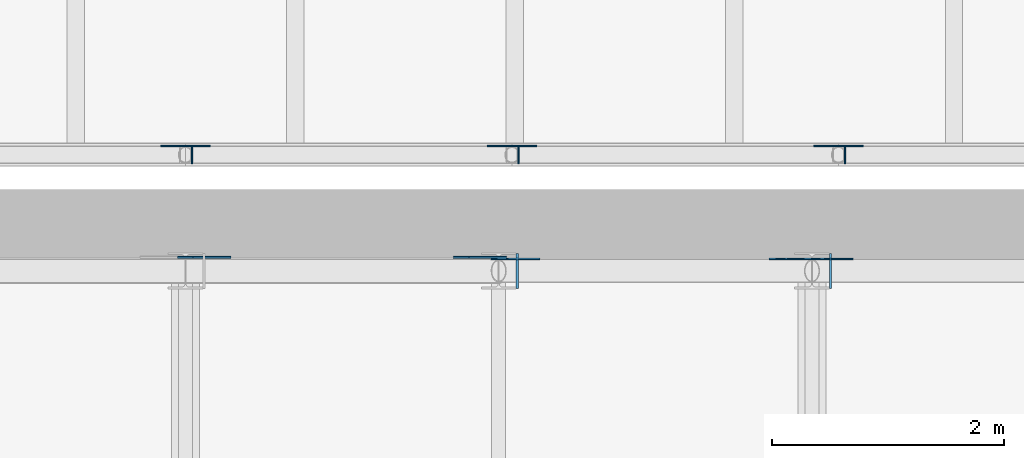
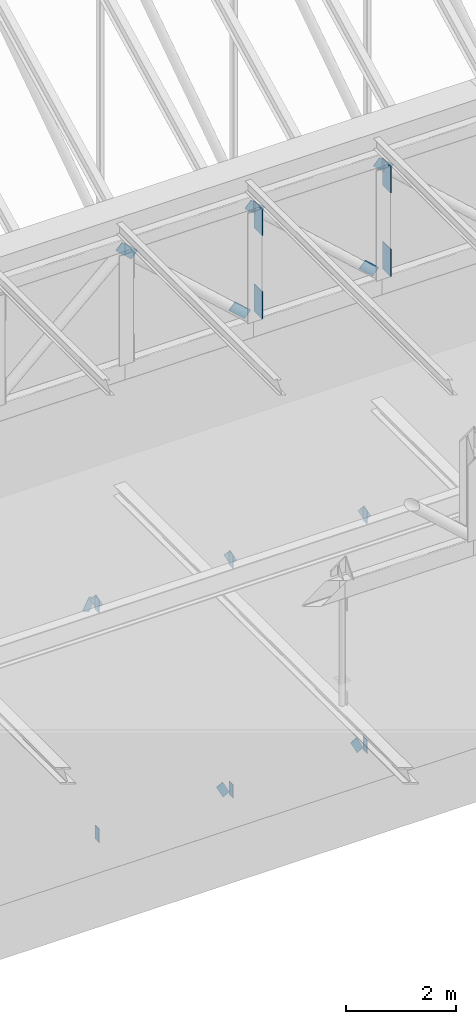
# One storey, part 44 of 68: 21 discrete accessories.
"""IFC4 building model written with IfcOpenShell, lengths in metres."""

from ifc_helpers import new_model, si_unit, direction, frame, origin, origin_2d, place, context, subcontext, project, spatial, rectangle, extrude, material, material_profile, profile_set, type_object, element, save


model = new_model("IFC4")

# Units and contexts
model_context = context("Model", 3, precision=1e-05, world=origin(), true_north=direction((0.0, 1.0)))
body_context = subcontext(model_context, "Body", "Model", "MODEL_VIEW")
ifc_project = project(units=[si_unit("LENGTHUNIT", "METRE"), si_unit("AREAUNIT", "SQUARE_METRE"), si_unit("VOLUMEUNIT", "CUBIC_METRE"), si_unit("PLANEANGLEUNIT", "RADIAN"), si_unit("MASSUNIT", "GRAM", prefix="KILO")], contexts=[model_context])

# Site, building, storey
site_placement = place(None, origin())
site = spatial("IfcSite", under=ifc_project, at=site_placement, CompositionType="ELEMENT")
building_placement = place(site_placement, origin())
building = spatial("IfcBuilding", under=site, at=building_placement, Name="Larchfold Concert Hall", CompositionType="ELEMENT")
storey_placement = place(building_placement, frame((0.0, 0.0, 28.800048828125)))
storey = spatial("IfcBuildingStorey", under=building, at=storey_placement, Name="L06", CompositionType="ELEMENT", Elevation=28.800048828125)

# Discrete accessories
ifc_material_1 = material(Name="Steel S355 galvanised bracket", Category="steel")
ifc_material_profile_1 = material_profile(ifc_material_1, rectangle(XDim=0.011962890625, YDim=0.14990234375, at=origin_2d()))
ifc_profile_set_1 = profile_set([ifc_material_profile_1], Name="Steel S355 galvanised bracket")
discrete_accessory_type_1 = type_object("IfcDiscreteAccessoryType", Name="Gusset plate 12x150", PredefinedType="BRACKET", material=ifc_profile_set_1)
for number, where, z_axis, x_axis, name in (
    (1, (42.656005859375, 60.0, 5.39990234375), (0.0, 0.0, -1.0), (1.0, 0.0, 0.0), "Gusset plate GP0135"),
    (2, (42.656005859375, 60.0, 0.300048828125), (0.0, 0.0, -1.0), (1.0, 0.0, 0.0), "Gusset plate GP0136"),
    (3, (45.470458984375, 60.0, 5.39990234375), (0.0, 0.0, -1.0), (1.0, 0.0, 0.0), "Gusset plate GP0137"),
    (4, (45.470458984375, 60.0, 0.300048828125), (0.0, 0.0, -1.0), (1.0, 0.0, 0.0), "Gusset plate GP0138"),
    (5, (48.284912109375, 60.0, 5.39990234375), (0.0, 0.0, -1.0), (1.0, 0.0, 0.0), "Gusset plate GP0139"),
    (6, (48.284912109375, 60.0, 0.300048828125), (0.0, 0.0, -1.0), (1.0, 0.0, 0.0), "Gusset plate GP0140"),
):
    element("IfcDiscreteAccessory", number, at=place(storey_placement, frame(where, z_axis=z_axis, x_axis=x_axis)), inside=storey, type_object=discrete_accessory_type_1, Name=name, PredefinedType="BRACKET", context=body_context, shape_type="SweptSolid", body=[
        extrude(rectangle(XDim=0.011962890625, YDim=0.14990234375, at=origin_2d()), origin(), (0.0, 0.0, 1.0), 0.300048828125),
    ])
for number, where, z_axis, x_axis, name in (
    (7, (42.4521484375, 60.075927734375, 5.1162109375), (0.462454703444, 0.0, 0.886642908539), (0.0, 1.0, 0.0), "Gusset plate GP0160"),
    (8, (42.609375, 60.075927734375, 5.382080078125), (0.462454703444, 0.0, -0.886642908539), (0.0, 1.0, 0.0), "Gusset plate GP0161"),
    (9, (45.2666015625, 60.075927734375, 0.28369140625), (0.462454703444, 0.0, -0.886642908539), (0.0, 1.0, 0.0), "Gusset plate GP0162"),
    (10, (45.423828125, 60.075927734375, 5.382080078125), (0.462454703444, 0.0, -0.886642908539), (0.0, 1.0, 0.0), "Gusset plate GP0163"),
    (11, (48.0810546875, 60.075927734375, 0.28369140625), (0.462454703444, 0.0, -0.886642908539), (0.0, 1.0, 0.0), "Gusset plate GP0164"),
    (12, (48.23828125, 60.075927734375, 5.382080078125), (0.462454703444, 0.0, -0.886642908539), (0.0, 1.0, 0.0), "Gusset plate GP0165"),
):
    element("IfcDiscreteAccessory", number, at=place(storey_placement, frame(where, z_axis=z_axis, x_axis=x_axis)), inside=storey, type_object=discrete_accessory_type_1, Name=name, PredefinedType="BRACKET", context=body_context, shape_type="SweptSolid", body=[
        extrude(rectangle(XDim=0.011962890625, YDim=0.14990234375, at=origin_2d()), origin(), (0.0, 0.0, 1.0), 0.2998046875),
    ])
ifc_material_2 = material(Name="Steel S355 galvanised bracket", Category="steel")
ifc_material_profile_2 = material_profile(ifc_material_2, rectangle(XDim=0.011962890625, YDim=0.199951171875, at=origin_2d()))
ifc_profile_set_2 = profile_set([ifc_material_profile_2], Name="Steel S355 galvanised bracket")
discrete_accessory_type_2 = type_object("IfcDiscreteAccessoryType", Name="Gusset plate 12x200", PredefinedType="BRACKET", material=ifc_profile_set_2)
for number, where, z_axis, x_axis, name in (
    (13, (45.300048828125, 59.102783203125, 13.75), (0.740624199034, 0.0, -0.671919486103), (0.0, 1.0, 0.0), "Gusset plate GP0759"),
    (14, (47.6982421875, 59.102783203125, 11.57373046875), (0.740624199034, 0.0, -0.671919486103), (0.0, 1.0, 0.0), "Gusset plate GP0760"),
    (15, (48.0, 59.102783203125, 13.75), (0.740624199034, 0.0, -0.671919486103), (0.0, 1.0, 0.0), "Gusset plate GP0761"),
):
    element("IfcDiscreteAccessory", number, at=place(storey_placement, frame(where, z_axis=z_axis, x_axis=x_axis)), inside=storey, type_object=discrete_accessory_type_2, Name=name, PredefinedType="BRACKET", context=body_context, shape_type="SweptSolid", body=[
        extrude(rectangle(XDim=0.011962890625, YDim=0.199951171875, at=origin_2d()), origin(), (0.0, 0.0, 1.0), 0.38720703125),
    ])
ifc_material_3 = material(Name="Steel S355 galvanised bracket", Category="steel")
ifc_material_profile_3 = material_profile(ifc_material_3, rectangle(XDim=0.01611328125, YDim=0.199951171875, at=origin_2d()))
ifc_profile_set_3 = profile_set([ifc_material_profile_3], Name="Steel S355 galvanised bracket")
discrete_accessory_type_3 = type_object("IfcDiscreteAccessoryType", Name="Gusset plate 16x200", PredefinedType="BRACKET", material=ifc_profile_set_3)
for number, where, z_axis, x_axis, name in (
    (16, (42.60009765625, 59.117431640625, 13.75), (0.740544899397, 0.0, -0.672006883877), (0.0, 1.0, 0.0), "Gusset plate GP0757"),
    (17, (44.9755859375, 59.117431640625, 11.594482421875), (0.740544899397, 0.0, -0.672006883877), (0.0, 1.0, 0.0), "Gusset plate GP0758"),
):
    element("IfcDiscreteAccessory", number, at=place(storey_placement, frame(where, z_axis=z_axis, x_axis=x_axis)), inside=storey, type_object=discrete_accessory_type_3, Name=name, PredefinedType="BRACKET", context=body_context, shape_type="SweptSolid", body=[
        extrude(rectangle(XDim=0.01611328125, YDim=0.199951171875, at=origin_2d()), origin(), (0.0, 0.0, 1.0), 0.438232421875),
    ])
ifc_material_4 = material(Name="Steel S355 galvanised bracket", Category="steel")
ifc_material_profile_4 = material_profile(ifc_material_4, rectangle(XDim=0.02001953125, YDim=0.300048828125, at=origin_2d()))
ifc_profile_set_4 = profile_set([ifc_material_profile_4], Name="Steel S355 galvanised bracket")
discrete_accessory_type_4 = type_object("IfcDiscreteAccessoryType", Name="Gusset plate 20x300", PredefinedType="BRACKET", material=ifc_profile_set_4)
for number, where, z_axis, x_axis, name in (
    (18, (45.4599609375, 59.0, 11.300048828125), (0.0, 0.0, 1.0), (1.0, 0.0, 0.0), "Gusset plate GP0745"),
    (19, (45.4599609375, 59.0, 13.14990234375), (0.0, 0.0, 1.0), (1.0, 0.0, 0.0), "Gusset plate GP0746"),
    (20, (48.159912109375, 59.0, 11.300048828125), (0.0, 0.0, 1.0), (1.0, 0.0, 0.0), "Gusset plate GP0747"),
    (21, (48.159912109375, 59.0, 13.14990234375), (0.0, 0.0, 1.0), (1.0, 0.0, 0.0), "Gusset plate GP0748"),
):
    element("IfcDiscreteAccessory", number, at=place(storey_placement, frame(where, z_axis=z_axis, x_axis=x_axis)), inside=storey, type_object=discrete_accessory_type_4, Name=name, PredefinedType="BRACKET", context=body_context, shape_type="SweptSolid", body=[
        extrude(rectangle(XDim=0.02001953125, YDim=0.300048828125, at=origin_2d()), origin(), (0.0, 0.0, 1.0), 0.60009765625),
    ])

save(model, "model.ifc")
